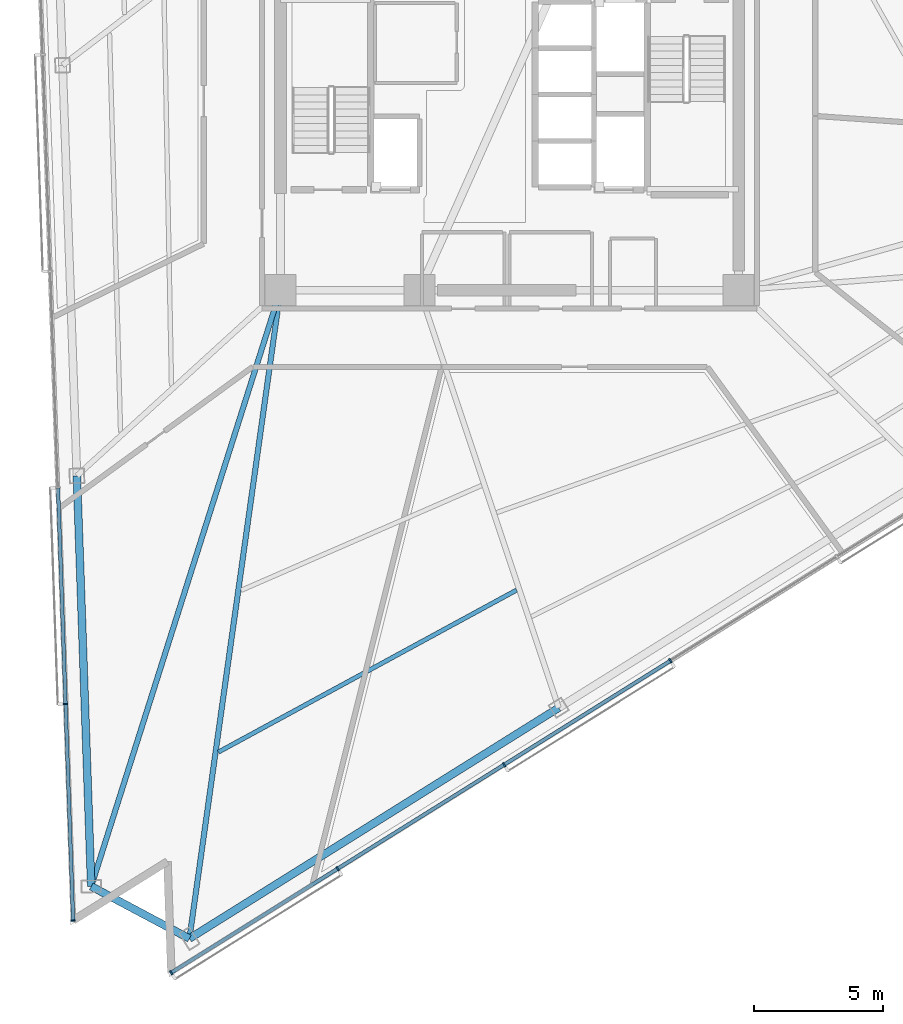
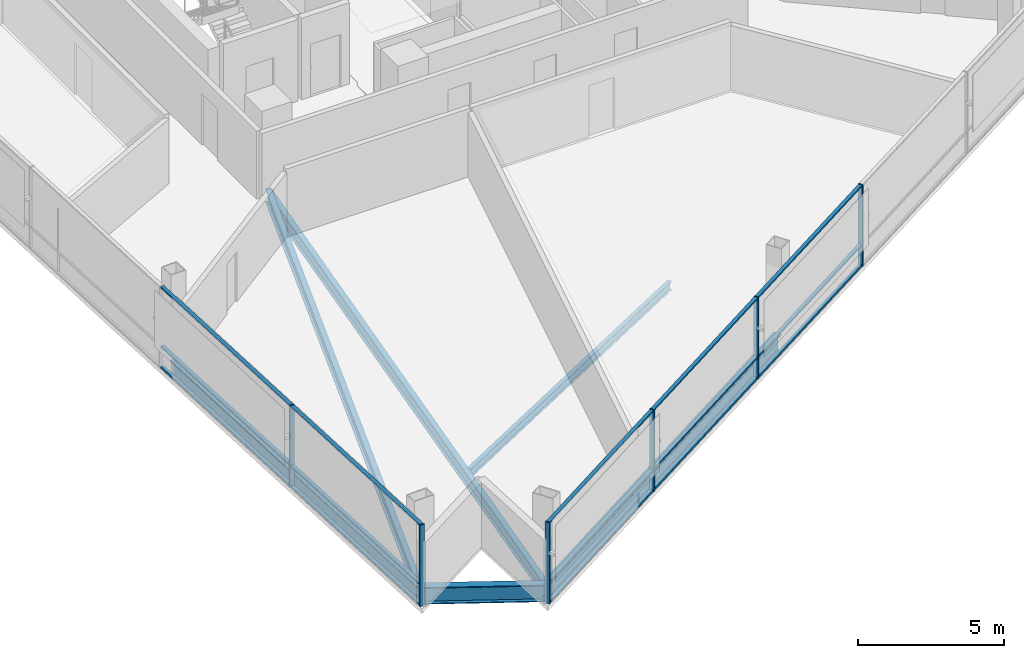
# One storey, part 2 of 21: 21 members, 6 beams, 2 elements without a shape of their own.
"""IFC4 building model written with IfcOpenShell, lengths in metres."""

from ifc_helpers import new_model, si_unit, direction, frame, origin, origin_2d, place, context, subcontext, project, spatial, rectangle, i_section, extrude, material, layer, layer_set, material_profile, profile_set, type_object, element, aggregate, save


model = new_model("IFC4")

# Units and contexts
model_context = context("Model", 3, precision=1e-05, world=origin(), true_north=direction((0.0, 1.0)))
body_context = subcontext(model_context, "Body", "Model", "MODEL_VIEW")
ifc_project = project(units=[si_unit("LENGTHUNIT", "METRE"), si_unit("AREAUNIT", "SQUARE_METRE"), si_unit("VOLUMEUNIT", "CUBIC_METRE"), si_unit("PLANEANGLEUNIT", "RADIAN"), si_unit("MASSUNIT", "GRAM", prefix="KILO")], contexts=[model_context])

# Site, building, storey
site_placement = place(None, origin())
site = spatial("IfcSite", under=ifc_project, at=site_placement, CompositionType="ELEMENT")
building_placement = place(site_placement, origin())
building = spatial("IfcBuilding", under=site, at=building_placement, Name="Tharavind Bronze Gate", CompositionType="ELEMENT")
storey_placement = place(building_placement, frame((0.0, 0.0, 142.39990234375)))
storey = spatial("IfcBuildingStorey", under=building, at=storey_placement, Name="L36", CompositionType="ELEMENT", Elevation=142.39990234375)

# Curtain wall, members
ifc_material_1 = material(Name="Anodised Bronze Aluminium", Category="aluminium")
ifc_layer = layer(ifc_material_1, 0.219970703125)
ifc_layer_set = layer_set([ifc_layer], Name="Anodised Bronze Aluminium")
curtain_wall_type = type_object("IfcCurtainWallType", Name="UNITISED CURTAIN WALL MID OFFICE", PredefinedType="USERDEFINED", material=ifc_layer_set)
curtain_wall_1_placement = place(storey_placement, origin())
curtain_wall_1 = element("IfcCurtainWall", 1, at=curtain_wall_1_placement, inside=storey, type_object=curtain_wall_type, Name="L36 unitised curtain wall mid office CW-L36-S1", ObjectType="UNITISED CURTAIN WALL", PredefinedType="USERDEFINED")
member_type_1 = type_object("IfcMemberType", Name="CURTAIN WALL BRONZE MULLION 65X180", PredefinedType="MULLION", material=ifc_material_1)
member_1_placement = place(storey_placement, frame((-17.25146484375, -23.6826171875, 0.0), z_axis=(0.0, 0.0, 1.0), x_axis=(0.034899496703, -0.999390827019, 0.0)))
member_1 = element("IfcMember", 2, at=member_1_placement, type_object=member_type_1, Name="CW-L36-S1 mullion 6", PredefinedType="MULLION", context=body_context, shape_type="SweptSolid", body=[
    extrude(rectangle(XDim=0.06494140625, YDim=0.179931640625, at=origin_2d()), origin(), (0.0, 0.0, 1.0), 3.409912109375),
])
member_2_placement = place(storey_placement, frame((-16.957763671875, -32.092041015625, 0.0), z_axis=(0.0, 0.0, 1.0), x_axis=(0.034899496703, -0.999390827019, 0.0)))
member_2 = element("IfcMember", 3, at=member_2_placement, type_object=member_type_1, Name="CW-L36-S1 mullion 7", PredefinedType="MULLION", context=body_context, shape_type="SweptSolid", body=[
    extrude(rectangle(XDim=0.06494140625, YDim=0.179931640625, at=origin_2d()), origin(), (0.0, 0.0, 1.0), 3.409912109375),
])

curtain_wall_2_placement = place(storey_placement, origin())
curtain_wall_2 = element("IfcCurtainWall", 4, at=curtain_wall_2_placement, inside=storey, type_object=curtain_wall_type, Name="L36 unitised curtain wall mid office CW-L36-S2", ObjectType="UNITISED CURTAIN WALL", PredefinedType="USERDEFINED")
member_3_placement = place(storey_placement, frame((-13.1435546875, -34.120361328125, 0.0), z_axis=(0.0, 0.0, 1.0), x_axis=(0.848048096156, 0.529919264233, 0.0)))
member_3 = element("IfcMember", 5, at=member_3_placement, type_object=member_type_1, Name="CW-L36-S2 mullion 1", PredefinedType="MULLION", context=body_context, shape_type="SweptSolid", body=[
    extrude(rectangle(XDim=0.06494140625, YDim=0.179931640625, at=origin_2d()), origin(), (0.0, 0.0, 1.0), 3.409912109375),
])
member_4_placement = place(storey_placement, frame((-6.677978515625, -30.080078125, 0.0), z_axis=(0.0, 0.0, 1.0), x_axis=(0.848048096156, 0.529919264233, 0.0)))
member_4 = element("IfcMember", 6, at=member_4_placement, type_object=member_type_1, Name="CW-L36-S2 mullion 2", PredefinedType="MULLION", context=body_context, shape_type="SweptSolid", body=[
    extrude(rectangle(XDim=0.06494140625, YDim=0.179931640625, at=origin_2d()), origin(), (0.0, 0.0, 1.0), 3.409912109375),
])
member_5_placement = place(storey_placement, frame((-0.212646484375, -26.040283203125, 0.0), z_axis=(0.0, 0.0, 1.0), x_axis=(0.848048096156, 0.529919264233, 0.0)))
member_5 = element("IfcMember", 7, at=member_5_placement, type_object=member_type_1, Name="CW-L36-S2 mullion 3", PredefinedType="MULLION", context=body_context, shape_type="SweptSolid", body=[
    extrude(rectangle(XDim=0.06494140625, YDim=0.179931640625, at=origin_2d()), origin(), (0.0, 0.0, 1.0), 3.409912109375),
])
member_6_placement = place(storey_placement, frame((6.252685546875, -22.0, 0.0), z_axis=(0.0, 0.0, 1.0), x_axis=(0.848048096156, 0.529919264233, 0.0)))
member_6 = element("IfcMember", 8, at=member_6_placement, type_object=member_type_1, Name="CW-L36-S2 mullion 4", PredefinedType="MULLION", context=body_context, shape_type="SweptSolid", body=[
    extrude(rectangle(XDim=0.06494140625, YDim=0.179931640625, at=origin_2d()), origin(), (0.0, 0.0, 1.0), 3.409912109375),
])

# Member
member_type_2 = type_object("IfcMemberType", Name="CURTAIN WALL BRONZE TRANSOM 65X140", PredefinedType="USERDEFINED", material=ifc_material_1)
member_7_placement = place(storey_placement, frame((-17.398193359375, -19.477783203125, 0.000244140625), z_axis=(0.0, 0.0, 1.0), x_axis=(0.034899496703, -0.999390827019, 0.0)))
member_7 = element("IfcMember", 9, at=member_7_placement, type_object=member_type_2, Name="CW-L36-S1 transom TB5", ObjectType="TRANSOM", PredefinedType="USERDEFINED", context=body_context, shape_type="SweptSolid", body=[
    extrude(rectangle(XDim=8.361572265625, YDim=0.139892578125, at=origin_2d()), origin(), (0.0, 0.0, 1.0), 0.06494140625),
])

member_8_placement = place(storey_placement, frame((-17.398193359375, -19.477783203125, 0.86767578125), z_axis=(0.0, 0.0, 1.0), x_axis=(0.034899496703, -0.999390827019, 0.0)))
member_8 = element("IfcMember", 10, at=member_8_placement, type_object=member_type_2, Name="CW-L36-S1 transom TS5", ObjectType="TRANSOM", PredefinedType="USERDEFINED", context=body_context, shape_type="SweptSolid", body=[
    extrude(rectangle(XDim=8.361572265625, YDim=0.139892578125, at=origin_2d()), origin(), (0.0, 0.0, 1.0), 0.06494140625),
])

member_9_placement = place(storey_placement, frame((-17.398193359375, -19.477783203125, 3.34521484375), z_axis=(0.0, 0.0, 1.0), x_axis=(0.034899496703, -0.999390827019, 0.0)))
member_9 = element("IfcMember", 11, at=member_9_placement, type_object=member_type_2, Name="CW-L36-S1 transom TT5", ObjectType="TRANSOM", PredefinedType="USERDEFINED", context=body_context, shape_type="SweptSolid", body=[
    extrude(rectangle(XDim=8.361572265625, YDim=0.139892578125, at=origin_2d()), origin(), (0.0, 0.0, 1.0), 0.06494140625),
])

member_10_placement = place(storey_placement, frame((-17.1044921875, -27.887451171875, 0.000244140625), z_axis=(0.0, 0.0, 1.0), x_axis=(0.034899496703, -0.999390827019, 0.0)))
member_10 = element("IfcMember", 12, at=member_10_placement, type_object=member_type_2, Name="CW-L36-S1 transom TB6", ObjectType="TRANSOM", PredefinedType="USERDEFINED", context=body_context, shape_type="SweptSolid", body=[
    extrude(rectangle(XDim=8.361572265625, YDim=0.139892578125, at=origin_2d()), origin(), (0.0, 0.0, 1.0), 0.06494140625),
])

member_11_placement = place(storey_placement, frame((-17.1044921875, -27.887451171875, 0.86767578125), z_axis=(0.0, 0.0, 1.0), x_axis=(0.034899496703, -0.999390827019, 0.0)))
member_11 = element("IfcMember", 13, at=member_11_placement, type_object=member_type_2, Name="CW-L36-S1 transom TS6", ObjectType="TRANSOM", PredefinedType="USERDEFINED", context=body_context, shape_type="SweptSolid", body=[
    extrude(rectangle(XDim=8.361572265625, YDim=0.139892578125, at=origin_2d()), origin(), (0.0, 0.0, 1.0), 0.06494140625),
])

member_12_placement = place(storey_placement, frame((-17.1044921875, -27.887451171875, 3.34521484375), z_axis=(0.0, 0.0, 1.0), x_axis=(0.034899496703, -0.999390827019, 0.0)))
member_12 = element("IfcMember", 14, at=member_12_placement, type_object=member_type_2, Name="CW-L36-S1 transom TT6", ObjectType="TRANSOM", PredefinedType="USERDEFINED", context=body_context, shape_type="SweptSolid", body=[
    extrude(rectangle(XDim=8.361572265625, YDim=0.139892578125, at=origin_2d()), origin(), (0.0, 0.0, 1.0), 0.06494140625),
])

aggregate(curtain_wall_1, [member_1, member_2, member_7, member_8, member_9, member_10, member_11, member_12])

member_13_placement = place(storey_placement, frame((-9.910888671875, -32.100341796875, 0.000244140625), z_axis=(0.0, 0.0, 1.0), x_axis=(0.848048096156, 0.529919264233, 0.0)))
member_13 = element("IfcMember", 15, at=member_13_placement, type_object=member_type_2, Name="CW-L36-S2 transom TB1", ObjectType="TRANSOM", PredefinedType="USERDEFINED", context=body_context, shape_type="SweptSolid", body=[
    extrude(rectangle(XDim=7.57080078125, YDim=0.139892578125, at=origin_2d()), origin(), (0.0, 0.0, 1.0), 0.06494140625),
])

member_14_placement = place(storey_placement, frame((-9.910888671875, -32.100341796875, 0.86767578125), z_axis=(0.0, 0.0, 1.0), x_axis=(0.848048096156, 0.529919264233, 0.0)))
member_14 = element("IfcMember", 16, at=member_14_placement, type_object=member_type_2, Name="CW-L36-S2 transom TS1", ObjectType="TRANSOM", PredefinedType="USERDEFINED", context=body_context, shape_type="SweptSolid", body=[
    extrude(rectangle(XDim=7.57080078125, YDim=0.139892578125, at=origin_2d()), origin(), (0.0, 0.0, 1.0), 0.06494140625),
])

member_15_placement = place(storey_placement, frame((-9.910888671875, -32.100341796875, 3.34521484375), z_axis=(0.0, 0.0, 1.0), x_axis=(0.848048096156, 0.529919264233, 0.0)))
member_15 = element("IfcMember", 17, at=member_15_placement, type_object=member_type_2, Name="CW-L36-S2 transom TT1", ObjectType="TRANSOM", PredefinedType="USERDEFINED", context=body_context, shape_type="SweptSolid", body=[
    extrude(rectangle(XDim=7.57080078125, YDim=0.139892578125, at=origin_2d()), origin(), (0.0, 0.0, 1.0), 0.06494140625),
])

member_16_placement = place(storey_placement, frame((-3.4453125, -28.060302734375, 0.000244140625), z_axis=(0.0, 0.0, 1.0), x_axis=(0.848048096156, 0.529919264233, 0.0)))
member_16 = element("IfcMember", 18, at=member_16_placement, type_object=member_type_2, Name="CW-L36-S2 transom TB2", ObjectType="TRANSOM", PredefinedType="USERDEFINED", context=body_context, shape_type="SweptSolid", body=[
    extrude(rectangle(XDim=7.57080078125, YDim=0.139892578125, at=origin_2d()), origin(), (0.0, 0.0, 1.0), 0.06494140625),
])

member_17_placement = place(storey_placement, frame((-3.4453125, -28.060302734375, 0.86767578125), z_axis=(0.0, 0.0, 1.0), x_axis=(0.848048096156, 0.529919264233, 0.0)))
member_17 = element("IfcMember", 19, at=member_17_placement, type_object=member_type_2, Name="CW-L36-S2 transom TS2", ObjectType="TRANSOM", PredefinedType="USERDEFINED", context=body_context, shape_type="SweptSolid", body=[
    extrude(rectangle(XDim=7.57080078125, YDim=0.139892578125, at=origin_2d()), origin(), (0.0, 0.0, 1.0), 0.06494140625),
])

member_18_placement = place(storey_placement, frame((-3.4453125, -28.060302734375, 3.34521484375), z_axis=(0.0, 0.0, 1.0), x_axis=(0.848048096156, 0.529919264233, 0.0)))
member_18 = element("IfcMember", 20, at=member_18_placement, type_object=member_type_2, Name="CW-L36-S2 transom TT2", ObjectType="TRANSOM", PredefinedType="USERDEFINED", context=body_context, shape_type="SweptSolid", body=[
    extrude(rectangle(XDim=7.57080078125, YDim=0.139892578125, at=origin_2d()), origin(), (0.0, 0.0, 1.0), 0.06494140625),
])

member_19_placement = place(storey_placement, frame((3.02001953125, -24.020263671875, 0.000244140625), z_axis=(0.0, 0.0, 1.0), x_axis=(0.848048096156, 0.529919264233, 0.0)))
member_19 = element("IfcMember", 21, at=member_19_placement, type_object=member_type_2, Name="CW-L36-S2 transom TB3", ObjectType="TRANSOM", PredefinedType="USERDEFINED", context=body_context, shape_type="SweptSolid", body=[
    extrude(rectangle(XDim=7.57080078125, YDim=0.139892578125, at=origin_2d()), origin(), (0.0, 0.0, 1.0), 0.06494140625),
])

member_20_placement = place(storey_placement, frame((3.02001953125, -24.020263671875, 0.86767578125), z_axis=(0.0, 0.0, 1.0), x_axis=(0.848048096156, 0.529919264233, 0.0)))
member_20 = element("IfcMember", 22, at=member_20_placement, type_object=member_type_2, Name="CW-L36-S2 transom TS3", ObjectType="TRANSOM", PredefinedType="USERDEFINED", context=body_context, shape_type="SweptSolid", body=[
    extrude(rectangle(XDim=7.57080078125, YDim=0.139892578125, at=origin_2d()), origin(), (0.0, 0.0, 1.0), 0.06494140625),
])

member_21_placement = place(storey_placement, frame((3.02001953125, -24.020263671875, 3.34521484375), z_axis=(0.0, 0.0, 1.0), x_axis=(0.848048096156, 0.529919264233, 0.0)))
member_21 = element("IfcMember", 23, at=member_21_placement, type_object=member_type_2, Name="CW-L36-S2 transom TT3", ObjectType="TRANSOM", PredefinedType="USERDEFINED", context=body_context, shape_type="SweptSolid", body=[
    extrude(rectangle(XDim=7.57080078125, YDim=0.139892578125, at=origin_2d()), origin(), (0.0, 0.0, 1.0), 0.06494140625),
])

aggregate(curtain_wall_2, [member_3, member_4, member_5, member_6, member_13, member_14, member_15, member_16, member_17, member_18, member_19, member_20, member_21])

# Beams
ifc_material_2 = material(Name="Steel S355", Category="steel")
ifc_material_profile_1 = material_profile(ifc_material_2, i_section(OverallWidth=0.2099609375, OverallDepth=0.550048828125, WebThickness=0.010986328125, FlangeThickness=0.01708984375, at=origin_2d()), Name="IPE550")
ifc_profile_set_1 = profile_set([ifc_material_profile_1], Name="Steel S355")
beam_type_1 = type_object("IfcBeamType", Name="PRIMARY GIRDER IPE550", PredefinedType="USERDEFINED", material=ifc_profile_set_1)
beam_1_placement = place(storey_placement, frame((-16.253662109375, -30.767578125, -0.46484375), z_axis=(0.302541909504, 0.953136083146, 0.0), x_axis=(-0.953136083146, 0.302541909504, 0.0)))
element("IfcBeam", 24, at=beam_1_placement, inside=storey, type_object=beam_type_1, Name="L36 primary girder ipe550 BM-L36-RAD04", ObjectType="GIRDER", PredefinedType="USERDEFINED", context=body_context, shape_type="SweptSolid", body=[
    extrude(i_section(OverallWidth=0.2099609375, OverallDepth=0.550048828125, WebThickness=0.010986328125, FlangeThickness=0.01708984375, at=origin_2d()), origin(), (0.0, 0.0, 1.0), 24.306640625),
])
beam_2_placement = place(storey_placement, frame((-12.439208984375, -32.7958984375, -0.46484375), z_axis=(0.139106336947, 0.990277449517, 0.0), x_axis=(-0.990277449517, 0.139106336947, 0.0)))
element("IfcBeam", 25, at=beam_2_placement, inside=storey, type_object=beam_type_1, Name="L36 primary girder ipe550 BM-L36-RAD05", ObjectType="GIRDER", PredefinedType="USERDEFINED", context=body_context, shape_type="SweptSolid", body=[
    extrude(i_section(OverallWidth=0.2099609375, OverallDepth=0.550048828125, WebThickness=0.010986328125, FlangeThickness=0.01708984375, at=origin_2d()), origin(), (0.0, 0.0, 1.0), 25.443115234375),
])
ifc_material_profile_2 = material_profile(ifc_material_2, i_section(OverallWidth=0.300048828125, OverallDepth=0.699951171875, WebThickness=0.01708984375, FlangeThickness=0.031982421875, at=origin_2d()), Name="HE700B")
ifc_profile_set_2 = profile_set([ifc_material_profile_2], Name="Steel S355")
beam_type_2 = type_object("IfcBeamType", Name="RING GIRDER HE700B", PredefinedType="USERDEFINED", material=ifc_profile_set_2)
beam_3_placement = place(storey_placement, frame((-16.810791015625, -14.814208984375, -0.539794921875), z_axis=(0.034901059648, -0.999390772439, 0.0), x_axis=(0.999390772439, 0.034901059648, 0.0)))
element("IfcBeam", 26, at=beam_3_placement, inside=storey, type_object=beam_type_2, Name="L36 ring girder he700b BM-L36-PRG03", ObjectType="GIRDER", PredefinedType="USERDEFINED", context=body_context, shape_type="SweptSolid", body=[
    extrude(i_section(OverallWidth=0.300048828125, OverallDepth=0.699951171875, WebThickness=0.01708984375, FlangeThickness=0.031982421875, at=origin_2d()), origin(), (0.0, 0.0, 1.0), 15.963134765625),
])
beam_4_placement = place(storey_placement, frame((-16.253662109375, -30.767578125, -0.539794921875), z_axis=(0.882934197132, -0.469496755618, 0.0), x_axis=(0.469496755618, 0.882934197132, 0.0)))
element("IfcBeam", 27, at=beam_4_placement, inside=storey, type_object=beam_type_2, Name="L36 ring girder he700b BM-L36-PRG04", ObjectType="GIRDER", PredefinedType="USERDEFINED", context=body_context, shape_type="SweptSolid", body=[
    extrude(i_section(OverallWidth=0.300048828125, OverallDepth=0.699951171875, WebThickness=0.01708984375, FlangeThickness=0.031982421875, at=origin_2d()), origin(), (0.0, 0.0, 1.0), 4.3203125),
])
beam_5_placement = place(storey_placement, frame((-12.439208984375, -32.7958984375, -0.539794921875), z_axis=(0.84804368744, 0.529926319589, 0.0), x_axis=(-0.529926319589, 0.84804368744, 0.0)))
element("IfcBeam", 28, at=beam_5_placement, inside=storey, type_object=beam_type_2, Name="L36 ring girder he700b BM-L36-PRG05", ObjectType="GIRDER", PredefinedType="USERDEFINED", context=body_context, shape_type="SweptSolid", body=[
    extrude(i_section(OverallWidth=0.300048828125, OverallDepth=0.699951171875, WebThickness=0.01708984375, FlangeThickness=0.031982421875, at=origin_2d()), origin(), (0.0, 0.0, 1.0), 16.923095703125),
])
ifc_material_profile_3 = material_profile(ifc_material_2, i_section(OverallWidth=0.169921875, OverallDepth=0.360107421875, WebThickness=0.008056640625, FlangeThickness=0.0126953125, at=origin_2d()), Name="IPE360")
ifc_profile_set_3 = profile_set([ifc_material_profile_3], Name="Steel S355")
beam_type_3 = type_object("IfcBeamType", Name="SECONDARY FLOOR JOIST IPE360", PredefinedType="JOIST", material=ifc_profile_set_3)
beam_6_placement = place(storey_placement, frame((-11.312255859375, -25.55078125, -0.369873046875), z_axis=(0.878664364141, 0.477439980718, 0.0), x_axis=(-0.477439980718, 0.878664364141, 0.0)))
element("IfcBeam", 29, at=beam_6_placement, inside=storey, type_object=beam_type_3, Name="L36 secondary floor joist ipe360 BM-L36-JSTB05", PredefinedType="JOIST", context=body_context, shape_type="SweptSolid", body=[
    extrude(i_section(OverallWidth=0.169921875, OverallDepth=0.360107421875, WebThickness=0.008056640625, FlangeThickness=0.0126953125, at=origin_2d()), origin(), (0.0, 0.0, 1.0), 13.184814453125),
])

save(model, "model.ifc")
